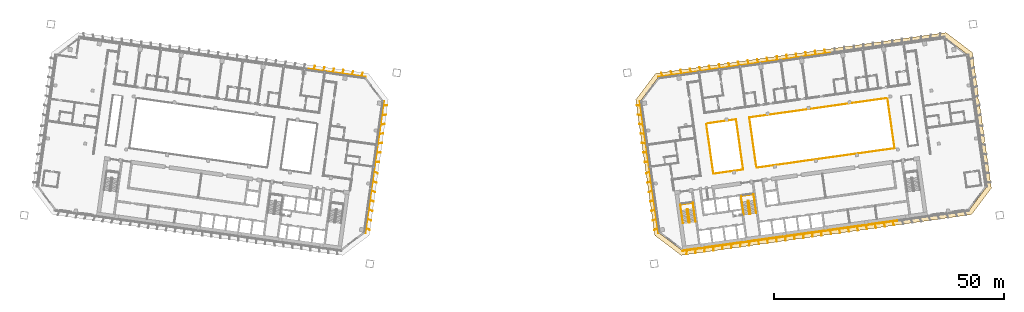
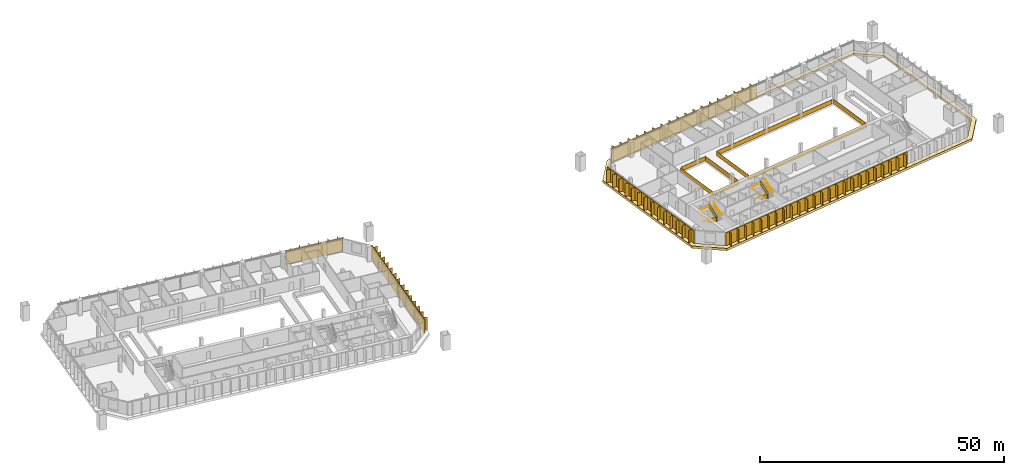
# One storey, part 24 of 25: 11 shading devices, 8 railings, 1 covering.
"""IFC4 building model written with IfcOpenShell, lengths in metres."""

import ifcopenshell
import ifcopenshell.guid

model = None  # the IFC model being written
_history = None  # IfcOwnerHistory: only IFC2X3 demands one
_inside = {}  # id of a spatial element -> (the spatial element, [elements in it])
_under = {}  # id of a project, library or spatial element -> (it, [spatial elements below it])
_declared = {}  # id of a project -> (the project, [libraries it declares])
_typed = {}  # id of a type object -> (the type object, [elements of that type])
_made_of = {}  # id of a material, layer set ... -> (it, [elements and type objects made of it])


def new_model(schema):
    """Start an empty IFC model of exactly this schema.

    Asked for "IFC4X3", IfcOpenShell would pick the latest addendum, in which some entities
    have other attributes; the version numbers below select the first issue.
    IFC2X3 requires an IfcOwnerHistory on every rooted entity: one is made here for all.
    """
    global model, _history
    if schema == "IFC4X3":
        model = ifcopenshell.file(schema_version=(4, 3, 0, 0))
    else:
        model = ifcopenshell.file(schema=schema)
    _inside.clear()
    _under.clear()
    _declared.clear()
    _typed.clear()
    _made_of.clear()
    _history = None
    if model.schema == "IFC2X3":
        org = make("IfcOrganization", Name="unknown")
        user = make(
            "IfcPersonAndOrganization",
            ThePerson=make("IfcPerson", FamilyName="unknown"),
            TheOrganization=org,
        )
        app = make(
            "IfcApplication",
            ApplicationDeveloper=org,
            Version="unknown",
            ApplicationFullName="unknown",
            ApplicationIdentifier="unknown",
        )
        _history = make(
            "IfcOwnerHistory",
            OwningUser=user,
            OwningApplication=app,
            ChangeAction="ADDED",
            CreationDate=0,
        )
    return model


def make(cls, **values):
    """One entity of the class cls with the attributes given. An attribute that is None is left unset."""
    return model.create_entity(
        cls, **{name: value for name, value in values.items() if value is not None}
    )


def rooted(cls, **values):
    """An entity with a GlobalId (a new one), such as an element, a storey or a relation."""
    return make(cls, GlobalId=ifcopenshell.guid.new(), OwnerHistory=_history, **values)


def si_unit(unit_type, name, prefix=None):
    """IfcSIUnit, for example si_unit("LENGTHUNIT", "METRE", prefix="MILLI")."""
    return make("IfcSIUnit", UnitType=unit_type, Prefix=prefix, Name=name)


def assignment(units):
    """IfcUnitAssignment: the units of a project."""
    return None if units is None else make("IfcUnitAssignment", Units=units)


def point(xyz):
    """IfcCartesianPoint."""
    return None if xyz is None else make("IfcCartesianPoint", Coordinates=xyz)


def direction(xyz):
    """IfcDirection."""
    return None if xyz is None else make("IfcDirection", DirectionRatios=xyz)


def frame(location, z_axis=None, x_axis=None):
    """IfcAxis2Placement3D, a coordinate frame: its origin and axes. An axis left out is left unset."""
    return make(
        "IfcAxis2Placement3D",
        Location=point(location),
        Axis=direction(z_axis),
        RefDirection=direction(x_axis),
    )


def frame_2d(location, x_axis=None):
    """IfcAxis2Placement2D, a coordinate frame in the plane: its origin and x axis."""
    return make(
        "IfcAxis2Placement2D", Location=point(location), RefDirection=direction(x_axis)
    )


def origin():
    """The frame at (0, 0, 0) with its axes left unset."""
    return frame((0.0, 0.0, 0.0))


def origin_2d():
    """The frame at (0, 0) in the plane with its x axis left unset."""
    return frame_2d((0.0, 0.0))


def place(relative_to, where):
    """IfcLocalPlacement: puts the frame where relative to a parent placement (None: the world)."""
    return make(
        "IfcLocalPlacement", PlacementRelTo=relative_to, RelativePlacement=where
    )


def context(
    kind, dimensions, precision=None, world=None, true_north=None, identifier=None
):
    """IfcGeometricRepresentationContext, for example the 3D "Model" context."""
    return make(
        "IfcGeometricRepresentationContext",
        ContextIdentifier=identifier,
        ContextType=kind,
        CoordinateSpaceDimension=dimensions,
        Precision=precision,
        WorldCoordinateSystem=world,
        TrueNorth=true_north,
    )


def subcontext(parent, identifier, kind, view, scale=None):
    """IfcGeometricRepresentationSubContext, for example "Body" below "Model"."""
    return make(
        "IfcGeometricRepresentationSubContext",
        ContextIdentifier=identifier,
        ContextType=kind,
        ParentContext=parent,
        TargetScale=scale,
        TargetView=view,
    )


def project(units=None, contexts=None):
    """IfcProject with its units and contexts."""
    return rooted(
        "IfcProject",
        Name="project",
        RepresentationContexts=contexts,
        UnitsInContext=assignment(units),
    )


def spatial(cls, under=None, at=None, **own):
    """A site, building, storey or space (cls), placed at a placement, below another one or the project."""
    s = rooted(cls, ObjectPlacement=at, **own)
    if under is not None:
        _under.setdefault(under.id(), (under, []))[1].append(s)
    return s


def polyline(points):
    """IfcPolyline through the points."""
    return make("IfcPolyline", Points=[point(p) for p in points])


def profile(cls, at=None, kind="AREA", **sizes):
    """A parametric profile (cls). Its sizes go by their IFC names, for example OverallWidth=200.0."""
    return make(cls, ProfileType=kind, Position=at, **sizes)


def rectangle(**sizes):
    """IfcRectangleProfileDef."""
    return profile("IfcRectangleProfileDef", **sizes)


def outline(outer, holes=None, kind="AREA"):
    """IfcArbitraryClosedProfileDef: a profile drawn as a closed curve; with holes, ...WithVoids."""
    if holes is None:
        return make("IfcArbitraryClosedProfileDef", ProfileType=kind, OuterCurve=outer)
    return make(
        "IfcArbitraryProfileDefWithVoids",
        ProfileType=kind,
        OuterCurve=outer,
        InnerCurves=holes,
    )


def extrude(swept, where, along, depth):
    """IfcExtrudedAreaSolid: the profile swept, set in the frame where, extruded along a direction by depth."""
    return make(
        "IfcExtrudedAreaSolid",
        SweptArea=swept,
        Position=where,
        ExtrudedDirection=direction(along),
        Depth=depth,
    )


def shape(context_of_items, identifier, shape_type, items):
    """IfcShapeRepresentation: the items that make up one representation, for example the "Body"."""
    return make(
        "IfcShapeRepresentation",
        ContextOfItems=context_of_items,
        RepresentationIdentifier=identifier,
        RepresentationType=shape_type,
        Items=items,
    )


def material(Name=None, Category=None):
    """IfcMaterial."""
    return make("IfcMaterial", Name=Name, Category=Category)


def layer(
    of_material, thickness, ventilated=None, Name=None, Category=None, Priority=None
):
    """IfcMaterialLayer: one layer of a wall or slab, of a material (None: an air gap)."""
    return make(
        "IfcMaterialLayer",
        Material=of_material,
        LayerThickness=thickness,
        IsVentilated=ventilated,
        Name=Name,
        Category=Category,
        Priority=Priority,
    )


def layer_set(layers, Name=None):
    """IfcMaterialLayerSet."""
    return make("IfcMaterialLayerSet", MaterialLayers=layers, LayerSetName=Name)


def made_of(thing, what):
    """Note that an element or type object is made of a material, layer set ...; save() writes the relation."""
    if what is not None:
        _made_of.setdefault(what.id(), (what, []))[1].append(thing)
    return thing


def type_object(cls, material=None, **own):
    """A type object (cls), such as IfcWallType, which elements share."""
    return made_of(rooted(cls, **own), material)


def element(
    cls,
    number,
    at=None,
    inside=None,
    cuts=None,
    type_object=None,
    material=None,
    context=None,
    identifier="Body",
    shape_type=None,
    held_by="IfcProductDefinitionShape",
    body=None,
    shapes=None,
    **own,
):
    """One element of the class cls, such as IfcWall. Its Tag is "e" and its number.

    at: its placement. inside: the storey or other place that contains it. cuts: it is an
    opening in that element (IfcRelVoidsElement). A single representation is given by context,
    identifier, shape_type and body (its items); several are given by shapes. held_by: the class
    of the entity that holds the representations. save() writes the other relations.
    """
    e = rooted(cls, Tag="e%d" % number, ObjectPlacement=at, **own)
    if body is not None:
        shapes = [shape(context, identifier, shape_type, body)]
    if shapes is not None:
        e.Representation = make(held_by, Representations=shapes)
    if inside is not None:
        _inside.setdefault(inside.id(), (inside, []))[1].append(e)
    if cuts is not None:
        rooted(
            "IfcRelVoidsElement", RelatingBuildingElement=cuts, RelatedOpeningElement=e
        )
    if type_object is not None:
        _typed.setdefault(type_object.id(), (type_object, []))[1].append(e)
    return made_of(e, material)


def aggregate(whole, parts):
    """IfcRelAggregates: a whole, such as a stair, and the parts it consists of."""
    return rooted("IfcRelAggregates", RelatingObject=whole, RelatedObjects=parts)


def save(model, path):
    """Write the relations noted so far, then the file.

    IfcRelAggregates (storeys below a building ...), IfcRelContainedInSpatialStructure (elements
    in a storey), IfcRelDefinesByType, IfcRelAssociatesMaterial and IfcRelDeclares: one each for
    every whole, place, type object, material and project.
    """
    for whole, parts in _under.values():
        aggregate(whole, parts)
    for where, things in _inside.values():
        rooted(
            "IfcRelContainedInSpatialStructure",
            RelatedElements=things,
            RelatingStructure=where,
        )
    for kind, things in _typed.values():
        rooted("IfcRelDefinesByType", RelatedObjects=things, RelatingType=kind)
    for what, things in _made_of.values():
        rooted("IfcRelAssociatesMaterial", RelatedObjects=things, RelatingMaterial=what)
    for by, libraries in _declared.values():
        rooted("IfcRelDeclares", RelatingContext=by, RelatedDefinitions=libraries)
    model.write(path)


model = new_model("IFC4")

# Units and contexts
model_context = context("Model", 3, precision=1e-05, world=origin(), true_north=direction((0.0, 1.0)))
body_context = subcontext(model_context, "Body", "Model", "MODEL_VIEW")
ifc_project = project(units=[si_unit("LENGTHUNIT", "METRE"), si_unit("AREAUNIT", "SQUARE_METRE"), si_unit("VOLUMEUNIT", "CUBIC_METRE"), si_unit("PLANEANGLEUNIT", "RADIAN"), si_unit("MASSUNIT", "GRAM", prefix="KILO")], contexts=[model_context])

# Site, building, storey
site_placement = place(None, origin())
site = spatial("IfcSite", under=ifc_project, at=site_placement, CompositionType="ELEMENT")
building_placement = place(site_placement, origin())
building = spatial("IfcBuilding", under=site, at=building_placement, Name="Mirante Cascada Hotel Towers", CompositionType="ELEMENT")
storey_placement = place(building_placement, frame((0.0, 0.0, 136.7)))
storey = spatial("IfcBuildingStorey", under=building, at=storey_placement, Name="L31", CompositionType="ELEMENT", Elevation=136.7)

# Railings
ifc_material_1 = material(Name="Toughened glass with stainless steel handrail", Category="steel")
railing_type_1 = type_object("IfcRailingType", Name="Atrium guard 1100 glass balustrade", PredefinedType="GUARDRAIL", material=ifc_material_1)
railing_1_placement = place(storey_placement, frame((42.3202, 7.3388, 0.0)))
element("IfcRailing", 1, at=railing_1_placement, inside=storey, type_object=railing_type_1, Name="GUARD 2-L31-1", PredefinedType="GUARDRAIL", context=body_context, shape_type="SweptSolid", body=[
    extrude(rectangle(XDim=0.048, YDim=0.048, at=origin_2d()), frame((0.0, 0.0, 1.076), z_axis=(0.1391712, -0.9902683, 0.0), x_axis=(0.9902683, 0.1391712, 0.0)), (0.0, 0.0, 1.0), 10.9333),
    extrude(rectangle(XDim=0.02, YDim=1.052, at=origin_2d()), frame((0.0, 0.0, 0.526), z_axis=(0.1391712, -0.9902683, 0.0), x_axis=(0.9902683, 0.1391712, 0.0)), (0.0, 0.0, 1.0), 10.9333),
    extrude(rectangle(XDim=0.048, YDim=0.048, at=origin_2d()), frame((1.5216, -10.8269, 1.076), z_axis=(0.9902673, 0.1391788, 0.0), x_axis=(-0.1391788, 0.9902673, 0.0)), (0.0, 0.0, 1.0), 6.5125),
    extrude(rectangle(XDim=0.02, YDim=1.052, at=origin_2d()), frame((1.5216, -10.8269, 0.526), z_axis=(0.9902673, 0.1391788, 0.0), x_axis=(-0.1391788, 0.9902673, 0.0)), (0.0, 0.0, 1.0), 6.5125),
])
railing_2_placement = place(storey_placement, frame((53.2617, -2.1642, 0.0)))
element("IfcRailing", 2, at=railing_2_placement, inside=storey, type_object=railing_type_1, Name="GUARD 2-L31-2", PredefinedType="GUARDRAIL", context=body_context, shape_type="SweptSolid", body=[
    extrude(rectangle(XDim=0.048, YDim=0.048, at=origin_2d()), frame((0.0, 0.0, 1.076), z_axis=(0.9902682, 0.1391722, 0.0), x_axis=(-0.1391722, 0.9902682, 0.0)), (0.0, 0.0, 1.0), 30.325),
    extrude(rectangle(XDim=0.02, YDim=1.052, at=origin_2d()), frame((0.0, 0.0, 0.526), z_axis=(0.9902682, 0.1391722, 0.0), x_axis=(-0.1391722, 0.9902682, 0.0)), (0.0, 0.0, 1.0), 30.325),
    extrude(rectangle(XDim=0.048, YDim=0.048, at=origin_2d()), frame((30.0299, 4.2204, 1.076), z_axis=(-0.1391712, 0.9902683, 0.0), x_axis=(-0.9902683, -0.1391712, 0.0)), (0.0, 0.0, 1.0), 10.9333),
    extrude(rectangle(XDim=0.02, YDim=1.052, at=origin_2d()), frame((30.0299, 4.2204, 0.526), z_axis=(-0.1391712, 0.9902683, 0.0), x_axis=(-0.9902683, -0.1391712, 0.0)), (0.0, 0.0, 1.0), 10.9333),
])
railing_3_placement = place(storey_placement, frame((50.2983, -2.2822, 0.0)))
element("IfcRailing", 3, at=railing_3_placement, inside=storey, type_object=railing_type_1, Name="GUARD 2-L31-4", PredefinedType="GUARDRAIL", context=body_context, shape_type="SweptSolid", body=[
    extrude(rectangle(XDim=0.048, YDim=0.048, at=origin_2d()), frame((0.0, 0.0, 1.076), z_axis=(-0.1391702, 0.9902685, 0.0), x_axis=(-0.9902685, -0.1391702, 0.0)), (0.0, 0.0, 1.0), 10.7545),
    extrude(rectangle(XDim=0.02, YDim=1.052, at=origin_2d()), frame((0.0, 0.0, 0.526), z_axis=(-0.1391702, 0.9902685, 0.0), x_axis=(-0.9902685, -0.1391702, 0.0)), (0.0, 0.0, 1.0), 10.7545),
    extrude(rectangle(XDim=0.048, YDim=0.048, at=origin_2d()), frame((-1.4967, 10.6498, 1.076), z_axis=(-0.990269, -0.1391668, 0.0), x_axis=(0.1391668, -0.990269, 0.0)), (0.0, 0.0, 1.0), 6.2853),
    extrude(rectangle(XDim=0.02, YDim=1.052, at=origin_2d()), frame((-1.4967, 10.6498, 0.526), z_axis=(-0.990269, -0.1391668, 0.0), x_axis=(0.1391668, -0.990269, 0.0)), (0.0, 0.0, 1.0), 6.2853),
])
railing_4_placement = place(storey_placement, frame((81.4802, 12.9602, 0.0)))
element("IfcRailing", 4, at=railing_4_placement, inside=storey, type_object=railing_type_1, Name="GUARD 2-L31-5", PredefinedType="GUARDRAIL", context=body_context, shape_type="SweptSolid", body=[
    extrude(rectangle(XDim=0.048, YDim=0.048, at=origin_2d()), frame((0.0, 0.0, 1.076), z_axis=(-0.9902686, -0.1391697, 0.0), x_axis=(0.1391697, -0.9902686, 0.0)), (0.0, 0.0, 1.0), 30.0978),
    extrude(rectangle(XDim=0.02, YDim=1.052, at=origin_2d()), frame((0.0, 0.0, 0.526), z_axis=(-0.9902686, -0.1391697, 0.0), x_axis=(0.1391697, -0.9902686, 0.0)), (0.0, 0.0, 1.0), 30.0978),
    extrude(rectangle(XDim=0.048, YDim=0.048, at=origin_2d()), frame((-29.8049, -4.1887, 1.076), z_axis=(0.1391715, -0.9902683, 0.0), x_axis=(0.9902683, 0.1391715, 0.0)), (0.0, 0.0, 1.0), 10.7544),
    extrude(rectangle(XDim=0.02, YDim=1.052, at=origin_2d()), frame((-29.8049, -4.1887, 0.526), z_axis=(0.1391715, -0.9902683, 0.0), x_axis=(0.9902683, 0.1391715, 0.0)), (0.0, 0.0, 1.0), 10.7544),
])

# Covering
ifc_material_2 = material(Name="Precast concrete C40/50 white", Category="concrete")
ifc_layer = layer(ifc_material_2, 0.6)
ifc_layer_set = layer_set([ifc_layer], Name="Precast concrete SUNSHADE band 1000x600")
covering_type = type_object("IfcCoveringType", Name="Precast concrete SUNSHADE band 1000x600", PredefinedType="CLADDING", material=ifc_layer_set)
covering_placement = place(storey_placement, frame((0.0, 0.0, -0.45)))
element("IfcCovering", 5, at=covering_placement, inside=storey, type_object=covering_type, Name="Precast concrete SUNSHADE band T2 L31", PredefinedType="CLADDING", context=body_context, shape_type="SweptSolid", body=[
    extrude(outline(polyline([(26.9341, 12.6299), (31.2626, 18.374), (94.4698, 27.2572), (100.2139, 22.9287), (101.5142, 13.677), (101.4995, 13.6609), (101.4712, 13.6232), (101.4469, 13.5829), (101.4266, 13.5404), (101.4105, 13.4961), (101.3989, 13.4504), (101.3918, 13.4039), (101.3894, 13.3568), (101.3915, 13.3098), (101.4139, 13.0733), (101.4206, 13.0267), (101.4319, 12.9809), (101.4476, 12.9365), (101.4676, 12.8939), (101.4916, 12.8534), (101.5196, 12.8154), (101.5511, 12.7804), (101.5858, 12.7487), (101.6236, 12.7205), (101.6509, 12.7039), (102.9282, 3.6153), (102.9065, 3.5919), (102.878, 3.5544), (102.8533, 3.5143), (102.8327, 3.4719), (102.8163, 3.4278), (102.8043, 3.3822), (102.7969, 3.3357), (102.794, 3.2887), (102.7958, 3.2416), (102.8022, 3.1949), (102.8458, 2.9615), (102.8568, 2.9156), (102.8721, 2.8711), (102.8918, 2.8283), (102.9155, 2.7876), (102.9431, 2.7495), (102.9744, 2.7142), (103.0089, 2.6822), (103.0464, 2.6537), (103.065, 2.6422), (104.3652, -6.6094), (100.0367, -12.3535), (36.8295, -21.2367), (31.0854, -16.9082), (26.9341, 12.6299)]), holes=[polyline([(103.3173, -6.3384), (99.2813, 22.3794), (94.1988, 26.2093), (31.8119, 17.4414), (27.982, 12.3589), (32.018, -16.3589), (37.1005, -20.1888), (99.4874, -11.4209), (103.3173, -6.3384)])]), origin(), (0.0, 0.0, 1.0), 0.6),
])

# Railings
ifc_material_3 = material(Name="Painted steel", Category="steel")
railing_type_2 = type_object("IfcRailingType", Name="Stair guard 1100 steel balustrade", PredefinedType="GUARDRAIL", material=ifc_material_3)
railing_5_placement = place(storey_placement, frame((38.2663, -11.2395, 0.0)))
element("IfcRailing", 6, at=railing_5_placement, inside=storey, type_object=railing_type_2, Name="L31 ST2-A stair guard 1", PredefinedType="GUARDRAIL", context=body_context, shape_type="SweptSolid", body=[
    extrude(rectangle(XDim=0.048, YDim=0.048, at=origin_2d()), frame((0.0, 0.0, 1.076), z_axis=(-0.9903326, -0.1387133, 0.0), x_axis=(0.1387133, -0.9903326, 0.0)), (0.0, 0.0, 1.0), 0.1499),
    extrude(rectangle(XDim=0.02, YDim=1.052, at=origin_2d()), frame((0.0, 0.0, 0.526), z_axis=(-0.9903326, -0.1387133, 0.0), x_axis=(0.1387133, -0.9903326, 0.0)), (0.0, 0.0, 1.0), 0.1499),
    extrude(rectangle(XDim=0.048, YDim=0.048, at=origin_2d()), frame((-0.1485, -0.0208, 1.076), z_axis=(-0.6020331, -0.7984711, 0.0), x_axis=(0.7984711, -0.6020331, 0.0)), (0.0, 0.9253398, 0.3791387), 0.1866),
    extrude(rectangle(XDim=0.02, YDim=1.052, at=origin_2d()), frame((-0.1485, -0.0208, 0.526), z_axis=(-0.6020331, -0.7984711, 0.0), x_axis=(0.7984711, -0.6020331, 0.0)), (0.0, 0.9253398, 0.3791387), 0.1866),
    extrude(rectangle(XDim=0.048, YDim=0.048, at=origin_2d()), frame((-0.1911, -0.0773, 1.2487), z_axis=(0.139176, -0.9902677, 0.0), x_axis=(0.9902677, 0.139176, 0.0)), (0.0, 0.5250212, 0.8510891), 3.29),
    extrude(rectangle(XDim=0.02, YDim=1.052, at=origin_2d()), frame((-0.1911, -0.0773, 0.6987), z_axis=(0.139176, -0.9902677, 0.0), x_axis=(0.9902677, 0.139176, 0.0)), (0.0, 0.5250212, 0.8510891), 3.29),
    extrude(rectangle(XDim=0.048, YDim=0.048, at=origin_2d()), frame((0.1986, -2.8501, 2.976), z_axis=(0.9944948, -0.1047858, 0.0), x_axis=(0.1047858, 0.9944948, 0.0)), (0.0, 0.0, 1.0), 0.2061),
    extrude(rectangle(XDim=0.02, YDim=1.052, at=origin_2d()), frame((0.1986, -2.8501, 2.426), z_axis=(0.9944948, -0.1047858, 0.0), x_axis=(0.1047858, 0.9944948, 0.0)), (0.0, 0.0, 1.0), 0.2061),
    extrude(rectangle(XDim=0.048, YDim=0.048, at=origin_2d()), frame((0.4036, -2.8717, 2.976), z_axis=(-0.9902408, -0.1393672, 0.0), x_axis=(0.1393672, -0.9902408, 0.0)), (0.0, 0.0, 1.0), 0.15),
    extrude(rectangle(XDim=0.02, YDim=1.052, at=origin_2d()), frame((0.4036, -2.8717, 2.426), z_axis=(-0.9902408, -0.1393672, 0.0), x_axis=(0.1393672, -0.9902408, 0.0)), (0.0, 0.0, 1.0), 0.15),
    extrude(rectangle(XDim=0.048, YDim=0.048, at=origin_2d()), frame((0.2551, -2.8926, 2.976), z_axis=(0.9270311, 0.3749843, 0.0), x_axis=(-0.3749843, 0.9270311, 0.0)), (0.0, 0.6421903, 0.7665452), 0.2689),
    extrude(rectangle(XDim=0.02, YDim=1.052, at=origin_2d()), frame((0.2551, -2.8926, 2.426), z_axis=(0.9270311, 0.3749843, 0.0), x_axis=(-0.3749843, 0.9270311, 0.0)), (0.0, 0.6421903, 0.7665452), 0.2689),
    extrude(rectangle(XDim=0.048, YDim=0.048, at=origin_2d()), frame((0.4462, -2.8153, 3.1487), z_axis=(-0.139176, 0.9902677, 0.0), x_axis=(-0.9902677, -0.139176, 0.0)), (0.0, 0.5250212, 0.8510891), 3.29),
    extrude(rectangle(XDim=0.02, YDim=1.052, at=origin_2d()), frame((0.4462, -2.8153, 2.5987), z_axis=(-0.139176, 0.9902677, 0.0), x_axis=(-0.9902677, -0.139176, 0.0)), (0.0, 0.5250212, 0.8510891), 3.29),
])
railing_6_placement = place(storey_placement, frame((51.4864, -9.3815, 0.0)))
element("IfcRailing", 7, at=railing_6_placement, inside=storey, type_object=railing_type_2, Name="L31 ST2-B stair guard 1", PredefinedType="GUARDRAIL", context=body_context, shape_type="SweptSolid", body=[
    extrude(rectangle(XDim=0.048, YDim=0.048, at=origin_2d()), frame((0.0, 0.0, 1.076), z_axis=(-0.9902408, -0.1393672, 0.0), x_axis=(0.1393672, -0.9902408, 0.0)), (0.0, 0.0, 1.0), 0.15),
    extrude(rectangle(XDim=0.02, YDim=1.052, at=origin_2d()), frame((0.0, 0.0, 0.526), z_axis=(-0.9902408, -0.1393672, 0.0), x_axis=(0.1393672, -0.9902408, 0.0)), (0.0, 0.0, 1.0), 0.15),
    extrude(rectangle(XDim=0.048, YDim=0.048, at=origin_2d()), frame((-0.1485, -0.0209, 1.076), z_axis=(-0.6020331, -0.7984711, 0.0), x_axis=(0.7984711, -0.6020331, 0.0)), (0.0, 0.9253398, 0.3791387), 0.1866),
    extrude(rectangle(XDim=0.02, YDim=1.052, at=origin_2d()), frame((-0.1485, -0.0209, 0.526), z_axis=(-0.6020331, -0.7984711, 0.0), x_axis=(0.7984711, -0.6020331, 0.0)), (0.0, 0.9253398, 0.3791387), 0.1866),
    extrude(rectangle(XDim=0.048, YDim=0.048, at=origin_2d()), frame((-0.1911, -0.0774, 1.2487), z_axis=(0.139181, -0.990267, 0.0), x_axis=(0.990267, 0.139181, 0.0)), (0.0, 0.5250347, 0.8510808), 3.2899),
    extrude(rectangle(XDim=0.02, YDim=1.052, at=origin_2d()), frame((-0.1911, -0.0774, 0.6987), z_axis=(0.139181, -0.990267, 0.0), x_axis=(0.990267, 0.139181, 0.0)), (0.0, 0.5250347, 0.8510808), 3.2899),
    extrude(rectangle(XDim=0.048, YDim=0.048, at=origin_2d()), frame((0.1986, -2.8501, 2.976), z_axis=(0.9944441, -0.1052656, 0.0), x_axis=(0.1052656, 0.9944441, 0.0)), (0.0, 0.0, 1.0), 0.2061),
    extrude(rectangle(XDim=0.02, YDim=1.052, at=origin_2d()), frame((0.1986, -2.8501, 2.426), z_axis=(0.9944441, -0.1052656, 0.0), x_axis=(0.1052656, 0.9944441, 0.0)), (0.0, 0.0, 1.0), 0.2061),
    extrude(rectangle(XDim=0.048, YDim=0.048, at=origin_2d()), frame((0.4036, -2.8718, 2.976), z_axis=(-0.9902408, -0.1393672, 0.0), x_axis=(0.1393672, -0.9902408, 0.0)), (0.0, 0.0, 1.0), 0.15),
    extrude(rectangle(XDim=0.02, YDim=1.052, at=origin_2d()), frame((0.4036, -2.8718, 2.426), z_axis=(-0.9902408, -0.1393672, 0.0), x_axis=(0.1393672, -0.9902408, 0.0)), (0.0, 0.0, 1.0), 0.15),
    extrude(rectangle(XDim=0.048, YDim=0.048, at=origin_2d()), frame((0.2551, -2.8927, 2.976), z_axis=(0.9268624, 0.3754011, 0.0), x_axis=(-0.3754011, 0.9268624, 0.0)), (0.0, 0.6421217, 0.7666028), 0.269),
    extrude(rectangle(XDim=0.02, YDim=1.052, at=origin_2d()), frame((0.2551, -2.8927, 2.426), z_axis=(0.9268624, 0.3754011, 0.0), x_axis=(-0.3754011, 0.9268624, 0.0)), (0.0, 0.6421217, 0.7666028), 0.269),
    extrude(rectangle(XDim=0.048, YDim=0.048, at=origin_2d()), frame((0.4462, -2.8153, 3.1487), z_axis=(-0.139181, 0.990267, 0.0), x_axis=(-0.990267, -0.139181, 0.0)), (0.0, 0.5250347, 0.8510808), 3.2899),
    extrude(rectangle(XDim=0.02, YDim=1.052, at=origin_2d()), frame((0.4462, -2.8153, 2.5987), z_axis=(-0.139181, 0.990267, 0.0), x_axis=(-0.990267, -0.139181, 0.0)), (0.0, 0.5250347, 0.8510808), 3.2899),
])
ifc_material_4 = material(Name="Painted steel", Category="steel")
railing_type_3 = type_object("IfcRailingType", Name="Stair handrail 900 steel tube", PredefinedType="HANDRAIL", material=ifc_material_4)
railing_7_placement = place(storey_placement, frame((36.8374, -11.4908, 0.1727)))
element("IfcRailing", 8, at=railing_7_placement, inside=storey, type_object=railing_type_3, Name="L31 ST2-A stair handrail 1", PredefinedType="HANDRAIL", context=body_context, shape_type="SweptSolid", body=[
    extrude(rectangle(XDim=0.048, YDim=0.048, at=origin_2d()), frame((0.0, 0.0, 0.876), z_axis=(0.139181, -0.990267, 0.0), x_axis=(0.990267, 0.139181, 0.0)), (0.0, 0.5250347, 0.8510808), 3.2899),
    extrude(rectangle(XDim=0.048, YDim=0.048, at=origin_2d()), frame((0.3897, -2.7727, 2.6033), z_axis=(-0.1391707, 0.9902684, 0.0), x_axis=(-0.9902684, -0.1391707, 0.0)), (0.0, 0.0420846, 0.999114), 4.1036),
    extrude(rectangle(XDim=0.048, YDim=0.048, at=origin_2d()), frame((-0.1809, 1.2874, 2.776), z_axis=(0.9902691, 0.1391657, 0.0), x_axis=(-0.1391657, 0.9902691, 0.0)), (0.0, 0.0, 1.0), 2.75),
    extrude(rectangle(XDim=0.048, YDim=0.048, at=origin_2d()), frame((2.5423, 1.6701, 2.776), z_axis=(0.1391707, -0.9902684, 0.0), x_axis=(0.9902684, 0.1391707, 0.0)), (0.0, 0.0, 1.0), 4.1),
    extrude(rectangle(XDim=0.048, YDim=0.048, at=origin_2d()), frame((3.1129, -2.39, 2.776), z_axis=(-0.139181, 0.990267, 0.0), x_axis=(-0.990267, -0.139181, 0.0)), (0.0, 0.5250347, 0.8510808), 3.2899),
])
railing_8_placement = place(storey_placement, frame((50.0575, -9.6328, 0.1727)))
element("IfcRailing", 9, at=railing_8_placement, inside=storey, type_object=railing_type_3, Name="L31 ST2-B stair handrail 1", PredefinedType="HANDRAIL", context=body_context, shape_type="SweptSolid", body=[
    extrude(rectangle(XDim=0.048, YDim=0.048, at=origin_2d()), frame((0.0, 0.0, 0.876), z_axis=(0.139176, -0.9902677, 0.0), x_axis=(0.9902677, 0.139176, 0.0)), (0.0, 0.5250212, 0.8510891), 3.29),
    extrude(rectangle(XDim=0.048, YDim=0.048, at=origin_2d()), frame((0.3897, -2.7728, 2.6033), z_axis=(-0.1391707, 0.9902684, 0.0), x_axis=(-0.9902684, -0.1391707, 0.0)), (0.0, 0.0420846, 0.999114), 4.1036),
    extrude(rectangle(XDim=0.048, YDim=0.048, at=origin_2d()), frame((-0.1809, 1.2873, 2.776), z_axis=(0.9902641, 0.1392013, 0.0), x_axis=(-0.1392013, 0.9902641, 0.0)), (0.0, 0.0, 1.0), 2.75),
    extrude(rectangle(XDim=0.048, YDim=0.048, at=origin_2d()), frame((2.5423, 1.6701, 2.776), z_axis=(0.1391707, -0.9902684, 0.0), x_axis=(0.9902684, 0.1391707, 0.0)), (0.0, 0.0, 1.0), 4.1),
    extrude(rectangle(XDim=0.048, YDim=0.048, at=origin_2d()), frame((3.1129, -2.39, 2.776), z_axis=(-0.139181, 0.990267, 0.0), x_axis=(-0.990267, -0.139181, 0.0)), (0.0, 0.5250347, 0.8510808), 3.2899),
])

# Shading devices
ifc_material_5 = material(Name="White precast concrete C50/60 fin", Category="concrete")
shading_device_type = type_object("IfcShadingDeviceType", Name="Vertical fin set 4500x900", PredefinedType="USERDEFINED", material=ifc_material_5)
shading_device_1_placement = place(storey_placement, origin())
element("IfcShadingDevice", 10, at=shading_device_1_placement, inside=storey, type_object=shading_device_type, Name="FIN T1 L31 front 5", ObjectType="FIN", PredefinedType="USERDEFINED", context=body_context, shape_type="SweptSolid", body=[
    extrude(outline(polyline([(-32.4493, 18.4994), (-32.7765, 17.7284), (-31.791, 17.5899), (-31.8119, 17.4414), (-44.2893, 19.195), (-44.2684, 19.3435), (-43.2564, 19.2013), (-42.9208, 19.9919), (-42.8471, 19.9607), (-43.1744, 19.1897), (-41.1768, 18.909), (-40.8412, 19.6997), (-40.7676, 19.6684), (-41.0948, 18.8975), (-39.0973, 18.6167), (-38.7616, 19.4074), (-38.688, 19.3761), (-39.0152, 18.6052), (-37.0177, 18.3245), (-36.6821, 19.1151), (-36.6084, 19.0839), (-36.9357, 18.3129), (-34.9381, 18.0322), (-34.6025, 18.8229), (-34.5289, 18.7916), (-34.8561, 18.0207), (-32.8586, 17.7399), (-32.5229, 18.5306), (-32.4493, 18.4994)])), origin(), (0.0, 0.0, 1.0), 3.35),
])
shading_device_2_placement = place(storey_placement, origin())
element("IfcShadingDevice", 11, at=shading_device_2_placement, inside=storey, type_object=shading_device_type, Name="FIN T1 L31 inner 1", ObjectType="FIN", PredefinedType="USERDEFINED", context=body_context, shape_type="SweptSolid", body=[
    extrude(outline(polyline([(-29.7112, -1.023), (-29.8515, -2.0209), (-30.0, -2.0), (-27.982, 12.3589), (-27.8334, 12.338), (-27.97, 11.3667), (-27.1387, 11.4687), (-27.1289, 11.3893), (-27.9815, 11.2846), (-28.2583, 9.3154), (-27.427, 9.4174), (-27.4172, 9.338), (-28.2698, 9.2334), (-28.5465, 7.2641), (-27.7153, 7.3662), (-27.7055, 7.2868), (-28.5581, 7.1821), (-28.8348, 5.2128), (-28.0036, 5.3149), (-27.9938, 5.2355), (-28.8464, 5.1308), (-29.1231, 3.1616), (-28.2918, 3.2636), (-28.2821, 3.1842), (-29.1346, 3.0796), (-29.4114, 1.1103), (-28.5801, 1.2124), (-28.5704, 1.133), (-29.4229, 1.0283), (-29.6997, -0.941), (-28.8684, -0.8389), (-28.8587, -0.9183), (-29.7112, -1.023)])), origin(), (0.0, 0.0, 1.0), 3.35),
])
shading_device_3_placement = place(storey_placement, origin())
element("IfcShadingDevice", 12, at=shading_device_3_placement, inside=storey, type_object=shading_device_type, Name="FIN T1 L31 inner 2", ObjectType="FIN", PredefinedType="USERDEFINED", context=body_context, shape_type="SweptSolid", body=[
    extrude(outline(polyline([(-31.733, -15.4084), (-31.8695, -16.3798), (-32.018, -16.3589), (-30.0, -2.0), (-29.8515, -2.0209), (-29.9917, -3.0188), (-29.201, -3.3544), (-29.2323, -3.428), (-30.0032, -3.1008), (-30.28, -5.07), (-29.4893, -5.4057), (-29.5206, -5.4793), (-30.2915, -5.1521), (-30.5683, -7.1213), (-29.7776, -7.4569), (-29.8089, -7.5306), (-30.5798, -7.2033), (-30.8566, -9.1726), (-30.0659, -9.5082), (-30.0972, -9.5818), (-30.8681, -9.2546), (-31.1449, -11.2238), (-30.3542, -11.5595), (-30.3854, -11.6331), (-31.1564, -11.3059), (-31.4331, -13.2751), (-30.6425, -13.6107), (-30.6737, -13.6844), (-31.4447, -13.3571), (-31.7214, -15.3264), (-30.9308, -15.662), (-30.962, -15.7356), (-31.733, -15.4084)])), origin(), (0.0, 0.0, 1.0), 3.35),
])
shading_device_4_placement = place(storey_placement, origin())
element("IfcShadingDevice", 13, at=shading_device_4_placement, inside=storey, type_object=shading_device_type, Name="FIN T2 L31 front 3", ObjectType="FIN", PredefinedType="USERDEFINED", context=body_context, shape_type="SweptSolid", body=[
    extrude(outline(polyline([(57.7069, 22.0905), (57.8252, 21.2488), (59.8255, 21.5299), (59.7072, 22.3716), (59.7865, 22.3828), (59.9048, 21.541), (61.9051, 21.8222), (61.7868, 22.6639), (61.866, 22.675), (61.9843, 21.8333), (63.9847, 22.1144), (63.8664, 22.9562), (63.9456, 22.9673), (64.0639, 22.1256), (66.0642, 22.4067), (65.9459, 23.2484), (66.0251, 23.2596), (66.1434, 22.4178), (68.1438, 22.699), (68.0255, 23.5407), (68.1047, 23.5518), (68.223, 22.7101), (69.2232, 22.8507), (69.2441, 22.7021), (56.7667, 20.9485), (56.7458, 21.0971), (57.746, 21.2376), (57.6277, 22.0794), (57.7069, 22.0905)])), origin(), (0.0, 0.0, 1.0), 3.35),
])
shading_device_5_placement = place(storey_placement, origin())
element("IfcShadingDevice", 14, at=shading_device_5_placement, inside=storey, type_object=shading_device_type, Name="FIN T2 L31 front 4", ObjectType="FIN", PredefinedType="USERDEFINED", context=body_context, shape_type="SweptSolid", body=[
    extrude(outline(polyline([(45.1132, 20.3181), (45.3416, 19.4943), (47.3413, 19.7754), (47.1157, 20.589), (47.1928, 20.6103), (47.4212, 19.7866), (49.4209, 20.0676), (49.1952, 20.8812), (49.2723, 20.9026), (49.5008, 20.0789), (51.5004, 20.3599), (51.2748, 21.1735), (51.3519, 21.1949), (51.5803, 20.3711), (53.58, 20.6521), (53.3544, 21.4657), (53.4314, 21.4871), (53.6599, 20.6634), (55.6595, 20.9444), (55.4339, 21.758), (55.511, 21.7794), (55.7394, 20.9556), (56.7458, 21.0971), (56.7667, 20.9485), (44.2893, 19.195), (44.2684, 19.3435), (45.2617, 19.4831), (45.0361, 20.2967), (45.1132, 20.3181)])), origin(), (0.0, 0.0, 1.0), 3.35),
])
shading_device_6_placement = place(storey_placement, origin())
element("IfcShadingDevice", 15, at=shading_device_6_placement, inside=storey, type_object=shading_device_type, Name="FIN T2 L31 front 5", ObjectType="FIN", PredefinedType="USERDEFINED", context=body_context, shape_type="SweptSolid", body=[
    extrude(outline(polyline([(32.5229, 18.5306), (32.8586, 17.7399), (34.8561, 18.0207), (34.5289, 18.7916), (34.6025, 18.8229), (34.9381, 18.0322), (36.9357, 18.3129), (36.6084, 19.0839), (36.6821, 19.1151), (37.0177, 18.3245), (39.0152, 18.6052), (38.688, 19.3761), (38.7616, 19.4074), (39.0973, 18.6167), (41.0948, 18.8975), (40.7676, 19.6684), (40.8412, 19.6997), (41.1768, 18.909), (43.1744, 19.1897), (42.8471, 19.9607), (42.9208, 19.9919), (43.2564, 19.2013), (44.2684, 19.3435), (44.2893, 19.195), (31.8119, 17.4414), (31.791, 17.5899), (32.7765, 17.7284), (32.4493, 18.4994), (32.5229, 18.5306)])), origin(), (0.0, 0.0, 1.0), 3.35),
])
shading_device_7_placement = place(storey_placement, origin())
element("IfcShadingDevice", 16, at=shading_device_7_placement, inside=storey, type_object=shading_device_type, Name="FIN T2 L31 inner 1", ObjectType="FIN", PredefinedType="USERDEFINED", context=body_context, shape_type="SweptSolid", body=[
    extrude(outline(polyline([(28.8684, -0.8389), (29.6997, -0.941), (29.4229, 1.0283), (28.5704, 1.133), (28.5801, 1.2124), (29.4114, 1.1103), (29.1346, 3.0796), (28.2821, 3.1842), (28.2918, 3.2636), (29.1231, 3.1616), (28.8464, 5.1308), (27.9938, 5.2355), (28.0036, 5.3149), (28.8348, 5.2128), (28.5581, 7.1821), (27.7055, 7.2868), (27.7153, 7.3662), (28.5465, 7.2641), (28.2698, 9.2334), (27.4172, 9.338), (27.427, 9.4174), (28.2583, 9.3154), (27.9815, 11.2846), (27.1289, 11.3893), (27.1387, 11.4687), (27.97, 11.3667), (27.8334, 12.338), (27.982, 12.3589), (30.0, -2.0), (29.8515, -2.0209), (29.7112, -1.023), (28.8587, -0.9183), (28.8684, -0.8389)])), origin(), (0.0, 0.0, 1.0), 3.35),
])
shading_device_8_placement = place(storey_placement, origin())
element("IfcShadingDevice", 17, at=shading_device_8_placement, inside=storey, type_object=shading_device_type, Name="FIN T2 L31 inner 2", ObjectType="FIN", PredefinedType="USERDEFINED", context=body_context, shape_type="SweptSolid", body=[
    extrude(outline(polyline([(30.9308, -15.662), (31.7214, -15.3264), (31.4447, -13.3571), (30.6737, -13.6844), (30.6425, -13.6107), (31.4331, -13.2751), (31.1564, -11.3059), (30.3854, -11.6331), (30.3542, -11.5595), (31.1449, -11.2238), (30.8681, -9.2546), (30.0972, -9.5818), (30.0659, -9.5082), (30.8566, -9.1726), (30.5798, -7.2033), (29.8089, -7.5306), (29.7776, -7.4569), (30.5683, -7.1213), (30.2915, -5.1521), (29.5206, -5.4793), (29.4893, -5.4057), (30.28, -5.07), (30.0032, -3.1008), (29.2323, -3.428), (29.201, -3.3544), (29.9917, -3.0188), (29.8515, -2.0209), (30.0, -2.0), (32.018, -16.3589), (31.8695, -16.3798), (31.733, -15.4084), (30.962, -15.7356), (30.9308, -15.662)])), origin(), (0.0, 0.0, 1.0), 3.35),
])
shading_device_9_placement = place(storey_placement, origin())
element("IfcShadingDevice", 18, at=shading_device_9_placement, inside=storey, type_object=shading_device_type, Name="FIN T2 L31 rear 1", ObjectType="FIN", PredefinedType="USERDEFINED", context=body_context, shape_type="SweptSolid", body=[
    extrude(outline(polyline([(37.9398, -21.0393), (38.0419, -20.208), (37.1214, -20.3374), (37.1005, -20.1888), (52.6972, -17.9968), (52.7181, -18.1454), (51.771, -18.2785), (51.6664, -19.131), (51.587, -19.1213), (51.689, -18.29), (49.8214, -18.5525), (49.7168, -19.405), (49.6374, -19.3953), (49.7394, -18.564), (47.8719, -18.8265), (47.7672, -19.679), (47.6878, -19.6693), (47.7898, -18.838), (45.9223, -19.1005), (45.8176, -19.953), (45.7382, -19.9433), (45.8403, -19.112), (43.9727, -19.3745), (43.868, -20.227), (43.7886, -20.2173), (43.8907, -19.386), (42.0231, -19.6485), (41.9184, -20.501), (41.839, -20.4913), (41.9411, -19.66), (40.0735, -19.9225), (39.9688, -20.775), (39.8894, -20.7653), (39.9915, -19.934), (38.1239, -20.1965), (38.0192, -21.049), (37.9398, -21.0393)])), origin(), (0.0, 0.0, 1.0), 3.35),
])
shading_device_10_placement = place(storey_placement, origin())
element("IfcShadingDevice", 19, at=shading_device_10_placement, inside=storey, type_object=shading_device_type, Name="FIN T2 L31 rear 2", ObjectType="FIN", PredefinedType="USERDEFINED", context=body_context, shape_type="SweptSolid", body=[
    extrude(outline(polyline([(53.6931, -18.8597), (53.6488, -18.0146), (52.7181, -18.1454), (52.6972, -17.9968), (68.2939, -15.8049), (68.3148, -15.9534), (67.3755, -16.0854), (67.4201, -16.9376), (67.3402, -16.9417), (67.2959, -16.0966), (65.4259, -16.3594), (65.4705, -17.2116), (65.3906, -17.2157), (65.3463, -16.3706), (63.4763, -16.6334), (63.5209, -17.4856), (63.441, -17.4897), (63.3967, -16.6446), (61.5267, -16.9074), (61.5713, -17.7596), (61.4914, -17.7637), (61.4472, -16.9186), (59.5771, -17.1814), (59.6217, -18.0335), (59.5419, -18.0377), (59.4976, -17.1926), (57.6275, -17.4554), (57.6722, -18.3075), (57.5923, -18.3117), (57.548, -17.4666), (55.6779, -17.7294), (55.7226, -18.5815), (55.6427, -18.5857), (55.5984, -17.7406), (53.7283, -18.0034), (53.773, -18.8555), (53.6931, -18.8597)])), origin(), (0.0, 0.0, 1.0), 3.35),
])
shading_device_11_placement = place(storey_placement, origin())
element("IfcShadingDevice", 20, at=shading_device_11_placement, inside=storey, type_object=shading_device_type, Name="FIN T2 L31 rear 3", ObjectType="FIN", PredefinedType="USERDEFINED", context=body_context, shape_type="SweptSolid", body=[
    extrude(outline(polyline([(69.4461, -16.6528), (69.2542, -15.8214), (68.3148, -15.9534), (68.2939, -15.8049), (83.8907, -13.6129), (83.9115, -13.7614), (82.9808, -13.8922), (83.1712, -14.7168), (83.0933, -14.7348), (82.9013, -13.9034), (81.0312, -14.1662), (81.2216, -14.9908), (81.1437, -15.0088), (80.9517, -14.1774), (79.0817, -14.4402), (79.272, -15.2648), (79.1941, -15.2828), (79.0021, -14.4514), (77.1321, -14.7142), (77.3224, -15.5388), (77.2445, -15.5568), (77.0525, -14.7254), (75.1825, -14.9882), (75.3729, -15.8128), (75.2949, -15.8308), (75.103, -14.9994), (73.2329, -15.2622), (73.4233, -16.0868), (73.3453, -16.1048), (73.1534, -15.2734), (71.2833, -15.5362), (71.4737, -16.3608), (71.3957, -16.3788), (71.2038, -15.5474), (69.3337, -15.8102), (69.5241, -16.6348), (69.4461, -16.6528)])), origin(), (0.0, 0.0, 1.0), 3.35),
])

save(model, "model.ifc")
